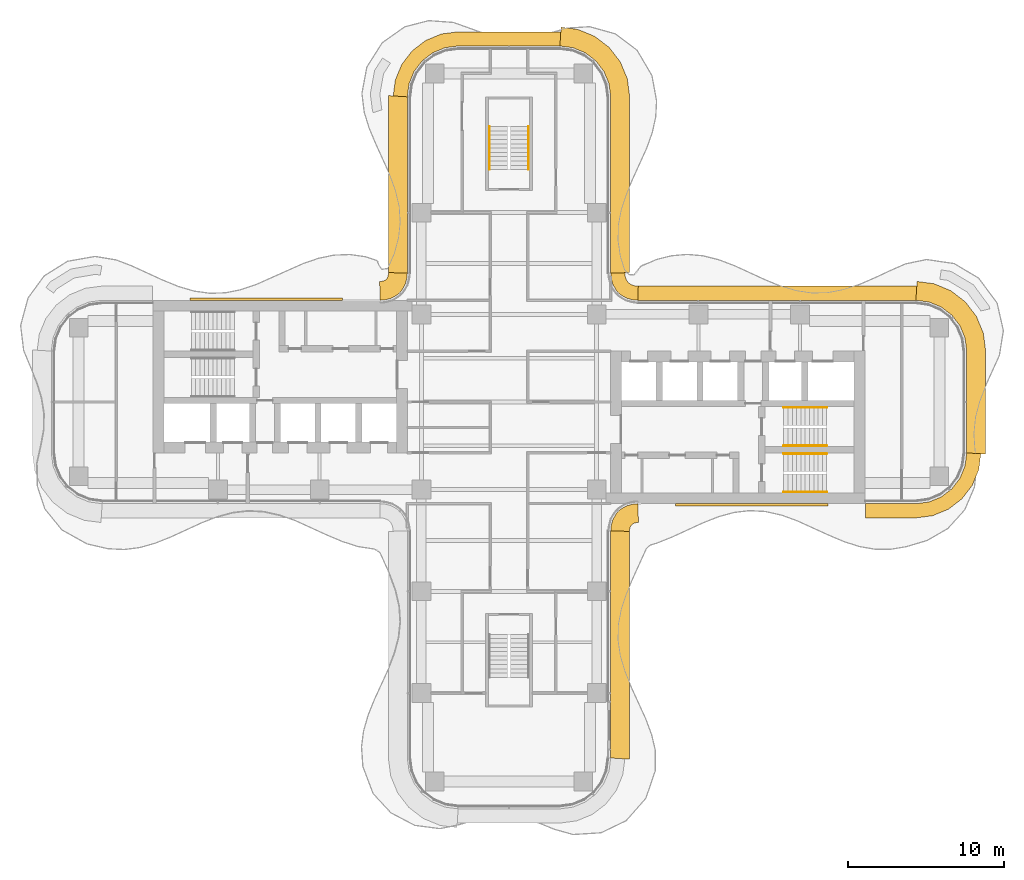
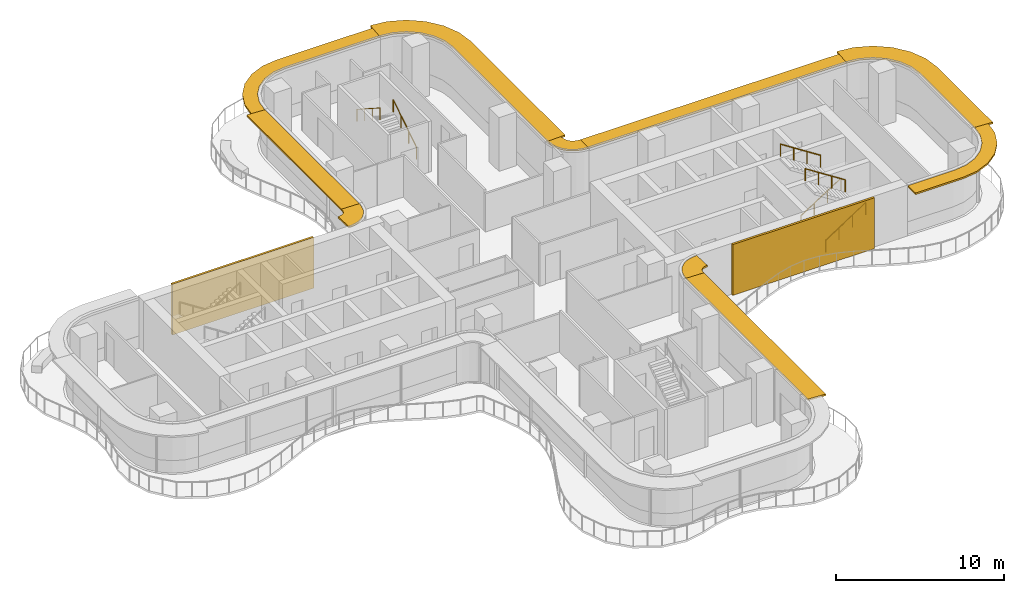
# One storey, part 18 of 18: 10 shading devices, 6 railings, 2 coverings.
"""IFC4 building model written with IfcOpenShell, lengths in metres."""

from ifc_helpers import new_model, si_unit, direction, frame, origin, origin_2d, place, context, subcontext, project, spatial, polyline, circle, outline, extrude, source, transform, mapped, material, layer, layer_set, type_object, element, save


model = new_model("IFC4")

# Units and contexts
model_context = context("Model", 3, precision=1e-05, world=origin(), true_north=direction((0.0, 1.0)))
body_context = subcontext(model_context, "Body", "Model", "MODEL_VIEW")
ifc_project = project(units=[si_unit("LENGTHUNIT", "METRE"), si_unit("AREAUNIT", "SQUARE_METRE"), si_unit("VOLUMEUNIT", "CUBIC_METRE"), si_unit("PLANEANGLEUNIT", "RADIAN"), si_unit("MASSUNIT", "GRAM", prefix="KILO")], contexts=[model_context])

# Site, building, storey
site_placement = place(None, origin())
site = spatial("IfcSite", under=ifc_project, at=site_placement, CompositionType="ELEMENT")
building_placement = place(site_placement, origin())
building = spatial("IfcBuilding", under=site, at=building_placement, Name="Trellis Farm Tower", CompositionType="ELEMENT")
storey_placement = place(building_placement, frame((0.0, 0.0, 204.89990234375)))
storey = spatial("IfcBuildingStorey", under=building, at=storey_placement, Name="L45", CompositionType="ELEMENT", Elevation=204.89990234375)

# Railings
ifc_material_1 = material(Name="Stainless steel", Category="steel")
railing_type = type_object("IfcRailingType", Name="STAIR HANDRAIL 900", PredefinedType="HANDRAIL", material=ifc_material_1)
shared_shape_1 = source(origin(), body_context, "Body", "SweptSolid", [
    extrude(circle(Radius=0.02392578125, at=origin_2d()), frame((0.0, 0.0, 0.8759765625), z_axis=(0.0, 0.840503830235, 0.541805602924), x_axis=(-1.0, 0.0, 0.0)), (0.0, 0.0, 1.0), 3.271728515625),
    extrude(circle(Radius=0.02099609375, at=origin_2d()), origin(), (0.0, 0.0, 1.0), 0.851806640625),
    extrude(circle(Radius=0.02099609375, at=origin_2d()), frame((0.0, 0.916748046875, 0.5908203125)), (0.0, 0.0, 1.0), 0.851806640625),
    extrude(circle(Radius=0.02099609375, at=origin_2d()), frame((0.0, 1.833251953125, 1.181884765625)), (0.0, 0.0, 1.0), 0.851806640625),
    extrude(circle(Radius=0.02099609375, at=origin_2d()), frame((0.0, 2.75, 1.772705078125)), (0.0, 0.0, 1.0), 0.851806640625),
])
railing_1_placement = place(storey_placement, frame((1.25, 14.85009765625, 0.177490234375)))
element("IfcRailing", 1, at=railing_1_placement, inside=storey, type_object=railing_type, Name="Stair handrail", PredefinedType="HANDRAIL", context=body_context, shape_type="MappedRepresentation", body=[
    mapped(shared_shape_1, transform((0.0, 0.0, 0.0))),
])
shared_shape_2 = source(origin(), body_context, "Body", "SweptSolid", [
    extrude(circle(Radius=0.02392578125, at=origin_2d()), frame((0.0, 0.0, 0.8759765625), z_axis=(0.0, -0.840503830235, 0.541805602924), x_axis=(1.0, 0.0, 0.0)), (0.0, 0.0, 1.0), 3.271728515625),
    extrude(circle(Radius=0.02099609375, at=origin_2d()), origin(), (0.0, 0.0, 1.0), 0.851806640625),
    extrude(circle(Radius=0.02099609375, at=origin_2d()), frame((0.0, -0.916748046875, 0.5908203125)), (0.0, 0.0, 1.0), 0.851806640625),
    extrude(circle(Radius=0.02099609375, at=origin_2d()), frame((0.0, -1.833251953125, 1.181884765625)), (0.0, 0.0, 1.0), 0.851806640625),
    extrude(circle(Radius=0.02099609375, at=origin_2d()), frame((0.0, -2.75, 1.772705078125)), (0.0, 0.0, 1.0), 0.851806640625),
])
railing_2_placement = place(storey_placement, frame((-1.25, 17.60009765625, 2.12744140625)))
element("IfcRailing", 2, at=railing_2_placement, inside=storey, type_object=railing_type, Name="Stair handrail", PredefinedType="HANDRAIL", context=body_context, shape_type="MappedRepresentation", body=[
    mapped(shared_shape_2, transform((0.0, 0.0, 0.0))),
])
shared_shape_3 = source(origin(), body_context, "Body", "SweptSolid", [
    extrude(circle(Radius=0.02392578125, at=origin_2d()), frame((0.0, 0.0, 0.8759765625), z_axis=(0.840503830235, 0.0, 0.541805602924), x_axis=(0.0, 1.0, 0.0)), (0.0, 0.0, 1.0), 3.271728515625),
    extrude(circle(Radius=0.02099609375, at=origin_2d()), origin(), (0.0, 0.0, 1.0), 0.851806640625),
    extrude(circle(Radius=0.02099609375, at=origin_2d()), frame((0.916748046875, 0.0, 0.5908203125)), (0.0, 0.0, 1.0), 0.851806640625),
    extrude(circle(Radius=0.02099609375, at=origin_2d()), frame((1.833251953125, 0.0, 1.181884765625)), (0.0, 0.0, 1.0), 0.851806640625),
    extrude(circle(Radius=0.02099609375, at=origin_2d()), frame((2.75, 0.0, 1.772705078125)), (0.0, 0.0, 1.0), 0.851806640625),
])
for number, where, name in (
    (3, (17.550048828125, -5.75, 0.177490234375), "Stair handrail"),
    (4, (17.550048828125, -2.800048828125, 0.177490234375), "Stair handrail"),
):
    element("IfcRailing", number, at=place(storey_placement, frame(where)), inside=storey, type_object=railing_type, Name=name, PredefinedType="HANDRAIL", context=body_context, shape_type="MappedRepresentation", body=[
        mapped(shared_shape_3, transform((0.0, 0.0, 0.0))),
    ])
shared_shape_4 = source(origin(), body_context, "Body", "SweptSolid", [
    extrude(circle(Radius=0.02392578125, at=origin_2d()), frame((0.0, 0.0, 0.8759765625), z_axis=(-0.840503830235, 0.0, 0.541805602924), x_axis=(0.0, -1.0, 0.0)), (0.0, 0.0, 1.0), 3.271728515625),
    extrude(circle(Radius=0.02099609375, at=origin_2d()), origin(), (0.0, 0.0, 1.0), 0.851806640625),
    extrude(circle(Radius=0.02099609375, at=origin_2d()), frame((-0.916748046875, 0.0, 0.5908203125)), (0.0, 0.0, 1.0), 0.851806640625),
    extrude(circle(Radius=0.02099609375, at=origin_2d()), frame((-1.833251953125, 0.0, 1.181884765625)), (0.0, 0.0, 1.0), 0.851806640625),
    extrude(circle(Radius=0.02099609375, at=origin_2d()), frame((-2.75, 0.0, 1.772705078125)), (0.0, 0.0, 1.0), 0.851806640625),
])
for number, where, name in (
    (5, (20.300048828125, -3.300048828125, 2.12744140625), "Stair handrail"),
    (6, (20.300048828125, -0.35009765625, 2.12744140625), "Stair handrail"),
):
    element("IfcRailing", number, at=place(storey_placement, frame(where)), inside=storey, type_object=railing_type, Name=name, PredefinedType="HANDRAIL", context=body_context, shape_type="MappedRepresentation", body=[
        mapped(shared_shape_4, transform((0.0, 0.0, 0.0))),
    ])

# Shading devices
ifc_material_2 = material(Name="Aluminium extrusion 6063-T6", Category="aluminium")
ifc_layer_1 = layer(ifc_material_2, 0.1201171875)
ifc_layer_set_1 = layer_set([ifc_layer_1], Name="SUNSHADE BLADE 1200")
shading_device_type_1 = type_object("IfcShadingDeviceType", Name="SUNSHADE BLADE 1200", PredefinedType="USERDEFINED", material=ifc_layer_set_1)
shared_shape_5 = source(origin(), body_context, "Body", "SweptSolid", [
    extrude(outline(polyline([(7.699951171875, -22.82861328125), (7.699951171875, -8.270751953125), (6.5, -8.2314453125), (6.5, -22.75), (7.699951171875, -22.82861328125)])), origin(), (0.0, 0.0, 1.0), 0.1201171875),
])
placement_1 = place(storey_placement, frame((0.0, 0.0, 3.5400390625)))
element("IfcShadingDevice", 7, at=placement_1, inside=storey, type_object=shading_device_type_1, Name="SD2 005", ObjectType="SUNSHADE", PredefinedType="USERDEFINED", context=body_context, shape_type="MappedRepresentation", body=[
    mapped(shared_shape_5, transform((0.0, 0.0, 0.0))),
])
shared_shape_6 = source(origin(), body_context, "Body", "SweptSolid", [
    extrude(outline(polyline([(7.699951171875, -8.270751953125), (7.708740234375, -8.13720703125), (7.70703125, -8.150146484375), (7.7548828125, -7.9716796875), (7.80712890625, -7.881103515625), (7.881103515625, -7.80712890625), (7.9716796875, -7.7548828125), (8.150146484375, -7.70703125), (8.13720703125, -7.708740234375), (8.270751953125, -7.699951171875), (8.2314453125, -6.5), (8.01953125, -6.513916015625), (7.91552734375, -6.527587890625), (7.508544921875, -6.63671875), (7.144287109375, -6.846923828125), (6.846923828125, -7.144287109375), (6.63671875, -7.508544921875), (6.527587890625, -7.91552734375), (6.513916015625, -8.01953125), (6.5, -8.2314453125), (7.699951171875, -8.270751953125)])), origin(), (0.0, 0.0, 1.0), 0.1201171875),
])
element("IfcShadingDevice", 8, at=placement_1, inside=storey, type_object=shading_device_type_1, Name="SD2 006", ObjectType="SUNSHADE", PredefinedType="USERDEFINED", context=body_context, shape_type="MappedRepresentation", body=[
    mapped(shared_shape_6, transform((0.0, 0.0, 0.0))),
])
ifc_layer_2 = layer(ifc_material_2, 0.1201171875)
ifc_layer_set_2 = layer_set([ifc_layer_2], Name="SUNSHADE BLADE 900")
shading_device_type_2 = type_object("IfcShadingDeviceType", Name="SUNSHADE BLADE 900", PredefinedType="USERDEFINED", material=ifc_layer_set_2)
shared_shape_7 = source(origin(), body_context, "Body", "SweptSolid", [
    extrude(outline(polyline([(22.780029296875, -7.39990234375), (26.05908203125, -7.39990234375), (27.076171875, -7.26611328125), (28.078857421875, -6.850830078125), (28.93994140625, -6.18994140625), (29.600830078125, -5.328857421875), (30.01611328125, -4.326171875), (30.14990234375, -3.30908203125), (29.25, -3.25), (29.13916015625, -4.091064453125), (28.814697265625, -4.875), (28.298095703125, -5.548095703125), (27.625, -6.064697265625), (26.841064453125, -6.38916015625), (26.0, -6.5), (22.780029296875, -6.5), (22.780029296875, -7.39990234375)])), origin(), (0.0, 0.0, 1.0), 0.1201171875),
])
element("IfcShadingDevice", 9, at=placement_1, inside=storey, type_object=shading_device_type_2, Name="SD1 007", ObjectType="SUNSHADE", PredefinedType="USERDEFINED", context=body_context, shape_type="MappedRepresentation", body=[
    mapped(shared_shape_7, transform((0.0, 0.0, 0.0))),
])
shared_shape_8 = source(origin(), body_context, "Body", "SweptSolid", [
    extrude(outline(polyline([(30.449951171875, -3.32861328125), (30.449951171875, 3.32861328125), (30.308349609375, 4.404541015625), (29.86279296875, 5.480224609375), (29.154052734375, 6.404052734375), (28.230224609375, 7.11279296875), (27.154541015625, 7.558349609375), (26.07861328125, 7.699951171875), (26.0, 6.5), (26.841064453125, 6.38916015625), (27.625, 6.064697265625), (28.298095703125, 5.548095703125), (28.814697265625, 4.875), (29.13916015625, 4.091064453125), (29.25, 3.25), (29.25, -3.25), (30.449951171875, -3.32861328125)])), origin(), (0.0, 0.0, 1.0), 0.1201171875),
])
element("IfcShadingDevice", 10, at=placement_1, inside=storey, type_object=shading_device_type_1, Name="SD2 008", ObjectType="SUNSHADE", PredefinedType="USERDEFINED", context=body_context, shape_type="MappedRepresentation", body=[
    mapped(shared_shape_8, transform((0.0, 0.0, 0.0))),
])
shared_shape_9 = source(origin(), body_context, "Body", "SweptSolid", [
    extrude(outline(polyline([(26.05908203125, 7.39990234375), (8.2607421875, 7.39990234375), (8.2314453125, 6.5), (26.0, 6.5), (26.05908203125, 7.39990234375)])), origin(), (0.0, 0.0, 1.0), 0.1201171875),
])
element("IfcShadingDevice", 11, at=placement_1, inside=storey, type_object=shading_device_type_2, Name="SD1 009", ObjectType="SUNSHADE", PredefinedType="USERDEFINED", context=body_context, shape_type="MappedRepresentation", body=[
    mapped(shared_shape_9, transform((0.0, 0.0, 0.0))),
])
shared_shape_10 = source(origin(), body_context, "Body", "SweptSolid", [
    extrude(outline(polyline([(8.2607421875, 7.39990234375), (8.107666015625, 7.409912109375), (8.091552734375, 7.412109375), (7.85595703125, 7.475341796875), (7.697021484375, 7.567138671875), (7.567138671875, 7.697021484375), (7.475341796875, 7.85595703125), (7.412109375, 8.091552734375), (7.409912109375, 8.107666015625), (7.39990234375, 8.2607421875), (6.5, 8.2314453125), (6.513916015625, 8.01953125), (6.527587890625, 7.91552734375), (6.63671875, 7.508544921875), (6.846923828125, 7.144287109375), (7.144287109375, 6.846923828125), (7.508544921875, 6.63671875), (7.91552734375, 6.527587890625), (8.01953125, 6.513916015625), (8.2314453125, 6.5), (8.2607421875, 7.39990234375)])), origin(), (0.0, 0.0, 1.0), 0.1201171875),
])
element("IfcShadingDevice", 12, at=placement_1, inside=storey, type_object=shading_device_type_2, Name="SD1 010", ObjectType="SUNSHADE", PredefinedType="USERDEFINED", context=body_context, shape_type="MappedRepresentation", body=[
    mapped(shared_shape_10, transform((0.0, 0.0, 0.0))),
])
shared_shape_11 = source(origin(), body_context, "Body", "SweptSolid", [
    extrude(outline(polyline([(-7.699951171875, 8.270751953125), (-7.708740234375, 8.13720703125), (-7.70703125, 8.150146484375), (-7.7548828125, 7.9716796875), (-7.80712890625, 7.881103515625), (-7.881103515625, 7.80712890625), (-7.9716796875, 7.7548828125), (-8.150146484375, 7.70703125), (-8.13720703125, 7.708740234375), (-8.270751953125, 7.699951171875), (-8.2314453125, 6.5), (-8.01953125, 6.513916015625), (-7.91552734375, 6.527587890625), (-7.508544921875, 6.63671875), (-7.144287109375, 6.846923828125), (-6.846923828125, 7.144287109375), (-6.63671875, 7.508544921875), (-6.527587890625, 7.91552734375), (-6.513916015625, 8.01953125), (-6.5, 8.2314453125), (-7.699951171875, 8.270751953125)])), origin(), (0.0, 0.0, 1.0), 0.1201171875),
])
element("IfcShadingDevice", 13, at=placement_1, inside=storey, type_object=shading_device_type_1, Name="SD2 014", ObjectType="SUNSHADE", PredefinedType="USERDEFINED", context=body_context, shape_type="MappedRepresentation", body=[
    mapped(shared_shape_11, transform((0.0, 0.0, 0.0))),
])

# Coverings
ifc_material_3 = material(Name="Perforated precast screen (cobogo)", Category="concrete")
ifc_layer_3 = layer(ifc_material_3, 0.14990234375)
ifc_layer_set_3 = layer_set([ifc_layer_3], Name="COBOGO SCREEN PANEL")
covering_type = type_object("IfcCoveringType", Name="COBOGO SCREEN PANEL", PredefinedType="USERDEFINED", material=ifc_layer_set_3)
shared_shape_12 = source(origin(), body_context, "Body", "SweptSolid", [
    extrude(outline(polyline([(10.630615234375, -6.64990234375), (20.380615234375, -6.64990234375), (20.380615234375, -6.5), (10.630615234375, -6.5), (10.630615234375, -6.64990234375)])), origin(), (0.0, 0.0, 1.0), 3.7001953125),
])
placement_2 = place(storey_placement, origin())
element("IfcCovering", 14, at=placement_2, inside=storey, type_object=covering_type, Name="SC1 01", ObjectType="SCREEN", PredefinedType="USERDEFINED", context=body_context, shape_type="MappedRepresentation", body=[
    mapped(shared_shape_12, transform((0.0, 0.0, 0.0))),
])
shared_shape_13 = source(origin(), body_context, "Body", "SweptSolid", [
    extrude(outline(polyline([(-10.630615234375, 6.64990234375), (-20.380615234375, 6.64990234375), (-20.380615234375, 6.5), (-10.630615234375, 6.5), (-10.630615234375, 6.64990234375)])), origin(), (0.0, 0.0, 1.0), 3.7001953125),
])
element("IfcCovering", 15, at=placement_2, inside=storey, type_object=covering_type, Name="SC1 02", ObjectType="SCREEN", PredefinedType="USERDEFINED", context=body_context, shape_type="MappedRepresentation", body=[
    mapped(shared_shape_13, transform((0.0, 0.0, 0.0))),
])

# Shading devices
shared_shape_14 = source(origin(), body_context, "Body", "SweptSolid", [
    extrude(outline(polyline([(7.699951171875, 8.270751953125), (7.699951171875, 19.57861328125), (7.558349609375, 20.654541015625), (7.11279296875, 21.730224609375), (6.404052734375, 22.654052734375), (5.480224609375, 23.36279296875), (4.404541015625, 23.808349609375), (3.32861328125, 23.949951171875), (3.25, 22.75), (4.091064453125, 22.63916015625), (4.875, 22.314697265625), (5.548095703125, 21.798095703125), (6.064697265625, 21.125), (6.38916015625, 20.341064453125), (6.5, 19.5), (6.5, 8.2314453125), (7.699951171875, 8.270751953125)])), origin(), (0.0, 0.0, 1.0), 0.1201171875),
])
element("IfcShadingDevice", 16, at=placement_1, inside=storey, type_object=shading_device_type_1, Name="SD2 011", ObjectType="SUNSHADE", PredefinedType="USERDEFINED", context=body_context, shape_type="MappedRepresentation", body=[
    mapped(shared_shape_14, transform((0.0, 0.0, 0.0))),
])
shared_shape_15 = source(origin(), body_context, "Body", "SweptSolid", [
    extrude(outline(polyline([(3.30908203125, 23.64990234375), (-3.30908203125, 23.64990234375), (-4.326171875, 23.51611328125), (-5.328857421875, 23.100830078125), (-6.18994140625, 22.43994140625), (-6.850830078125, 21.578857421875), (-7.26611328125, 20.576171875), (-7.39990234375, 19.55908203125), (-6.5, 19.5), (-6.38916015625, 20.341064453125), (-6.064697265625, 21.125), (-5.548095703125, 21.798095703125), (-4.875, 22.314697265625), (-4.091064453125, 22.63916015625), (-3.25, 22.75), (3.25, 22.75), (3.30908203125, 23.64990234375)])), origin(), (0.0, 0.0, 1.0), 0.1201171875),
])
element("IfcShadingDevice", 17, at=placement_1, inside=storey, type_object=shading_device_type_2, Name="SD1 012", ObjectType="SUNSHADE", PredefinedType="USERDEFINED", context=body_context, shape_type="MappedRepresentation", body=[
    mapped(shared_shape_15, transform((0.0, 0.0, 0.0))),
])
shared_shape_16 = source(origin(), body_context, "Body", "SweptSolid", [
    extrude(outline(polyline([(-7.699951171875, 19.57861328125), (-7.699951171875, 8.270751953125), (-6.5, 8.2314453125), (-6.5, 19.5), (-7.699951171875, 19.57861328125)])), origin(), (0.0, 0.0, 1.0), 0.1201171875),
])
element("IfcShadingDevice", 18, at=placement_1, inside=storey, type_object=shading_device_type_1, Name="SD2 013", ObjectType="SUNSHADE", PredefinedType="USERDEFINED", context=body_context, shape_type="MappedRepresentation", body=[
    mapped(shared_shape_16, transform((0.0, 0.0, 0.0))),
])

save(model, "model.ifc")
